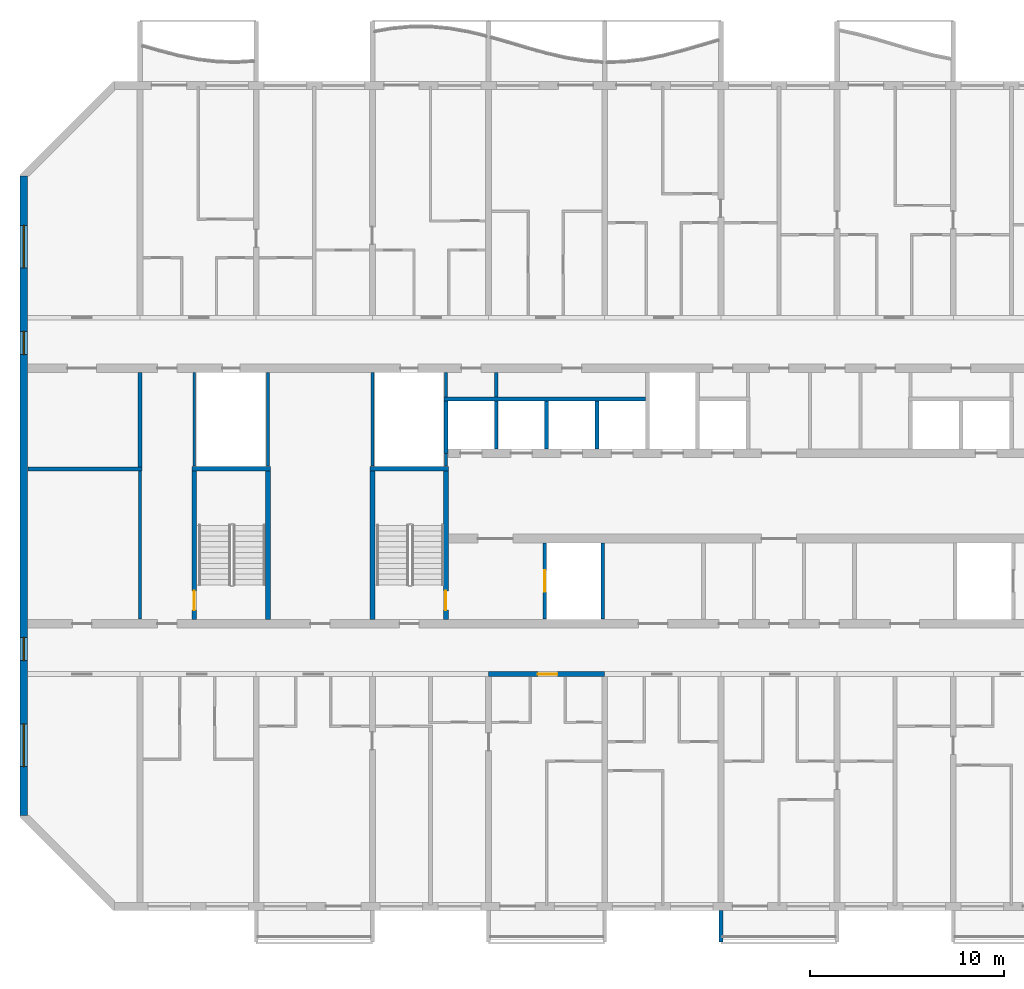
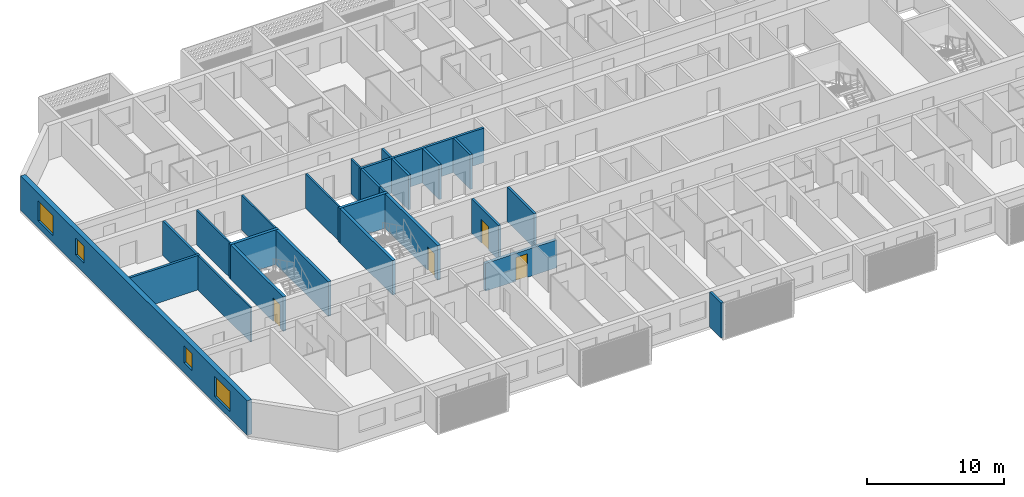
# One storey, part 3 of 33: 25 walls, 4 doors, 4 windows, 8 openings.
"""IFC4 building model written with IfcOpenShell, lengths in metres."""

from ifc_helpers import new_model, si_unit, direction, frame, frame_2d, origin, place, context, subcontext, project, spatial, polyline, rectangle, outline, extrude, source, transform, mapped, material, layer, layer_set, type_object, element, fill, save


model = new_model("IFC4")

# Units and contexts
model_context = context("Model", 3, precision=1e-05, world=origin(), true_north=direction((0.0, 1.0)))
body_context = subcontext(model_context, "Body", "Model", "MODEL_VIEW")
ifc_project = project(units=[si_unit("LENGTHUNIT", "METRE"), si_unit("AREAUNIT", "SQUARE_METRE"), si_unit("VOLUMEUNIT", "CUBIC_METRE"), si_unit("PLANEANGLEUNIT", "RADIAN"), si_unit("MASSUNIT", "GRAM", prefix="KILO")], contexts=[model_context])

# Site, building, storey
site_placement = place(None, origin())
site = spatial("IfcSite", under=ifc_project, at=site_placement, CompositionType="ELEMENT")
building_placement = place(site_placement, origin())
building = spatial("IfcBuilding", under=site, at=building_placement, Name="Poui Terraces", CompositionType="ELEMENT")
storey_placement = place(building_placement, frame((0.0, 0.0, 132.300048828125)))
storey = spatial("IfcBuildingStorey", under=building, at=storey_placement, Name="L36", CompositionType="ELEMENT", Elevation=132.300048828125)

# Wall
ifc_material_1 = material(Name="Fire-rated plasterboard wall")
ifc_layer_1 = layer(ifc_material_1, 0.14990234375)
ifc_layer_set_1 = layer_set([ifc_layer_1], Name="Fire-rated plasterboard wall")
wall_type_1 = type_object("IfcWallType", Name="CORRIDOR WALL 150", PredefinedType="PARTITIONING", material=ifc_layer_set_1)
wall_1_placement = place(storey_placement, frame((18.0, 14.8349609375, 0.0), z_axis=(0.0, 0.0, 1.0), x_axis=(0.0, 1.0, 0.0)))
element("IfcWall", 1, at=wall_1_placement, inside=storey, type_object=wall_type_1, Name="CORRIDOR WALL 150", PredefinedType="PARTITIONING", context=body_context, shape_type="SweptSolid", body=[
    extrude(rectangle(XDim=7.6650390625, YDim=0.14990234375, at=frame_2d((3.83251953125, 0.0))), origin(), (0.0, 0.0, 1.0), 3.070068359375),
])

# Wall, opening, door
ifc_material_2 = material(Name="Concrete 65 MPa", Category="concrete")
ifc_layer_2 = layer(ifc_material_2, 0.25)
ifc_layer_set_2 = layer_set([ifc_layer_2], Name="Concrete 65 MPa")
wall_type_2 = type_object("IfcWallType", Name="CORRIDOR WALL 250 65MPa", PredefinedType="SHEAR", material=ifc_layer_set_2)
wall_2_placement = place(storey_placement, frame((36.0, 12.0, 0.0), z_axis=(0.0, 0.0, 1.0), x_axis=(1.0, 0.0, 0.0)))
wall_2 = element("IfcWall", 2, at=wall_2_placement, inside=storey, type_object=wall_type_2, Name="CORRIDOR WALL LINE B BAY 5", PredefinedType="SHEAR", context=body_context, shape_type="SweptSolid", body=[
    extrude(rectangle(XDim=6.0, YDim=0.25, at=frame_2d((3.0, 0.0))), origin(), (0.0, 0.0, 1.0), 2.469970703125),
])
opening_1_placement = place(wall_2_placement, frame((2.550048828125, 0.0, 0.0)))
opening_1 = element("IfcOpeningElement", 3, at=opening_1_placement, cuts=wall_2, Name="Opening FD30S", PredefinedType="OPENING", context=body_context, shape_type="SweptSolid", body=[
    extrude(rectangle(XDim=1.0, YDim=2.10009765625, at=frame_2d((0.5, 1.050048828125))), frame((0.0, 0.135009765625, 0.0), z_axis=(0.0, -1.0, 0.0), x_axis=(1.0, 0.0, 0.0)), (0.0, 0.0, 1.0), 0.27001953125),
])
ifc_material_3 = material(Name="Steel fire door", Category="steel")
door_type_1 = type_object("IfcDoorType", Name="FLAT ENTRANCE DOOR 1000 X 2100", OperationType="NOTDEFINED", PredefinedType="DOOR", material=ifc_material_3)
door_1_placement = place(opening_1_placement, frame((1.0, 0.0, 0.0), z_axis=(0.0, 0.0, 1.0), x_axis=(-1.0, 0.0, 0.0)))
door_1 = element("IfcDoor", 4, at=door_1_placement, inside=storey, type_object=door_type_1, Name="FLAT ENTRANCE DOOR 086", OperationType="SINGLE_SWING_LEFT", OverallHeight=2.10009765625, OverallWidth=1.0, PredefinedType="DOOR", context=body_context, shape_type="SweptSolid", body=[
    extrude(rectangle(XDim=1.0, YDim=2.10009765625, at=frame_2d((0.5, 1.050048828125))), frame((0.0, 0.02490234375, 0.0), z_axis=(0.0, -1.0, 0.0), x_axis=(1.0, 0.0, 0.0)), (0.0, 0.0, 1.0), 0.050048828125),
])
fill(opening_1, door_1)

# Wall, openings, windows
ifc_layer_3 = layer(ifc_material_2, 0.39990234375)
ifc_layer_set_3 = layer_set([ifc_layer_3], Name="Concrete 65 MPa")
wall_type_3 = type_object("IfcWallType", Name="END WALL 400 65MPa", PredefinedType="SHEAR", material=ifc_layer_set_3)
wall_3_placement = place(storey_placement, frame((12.0, 4.682861328125, 0.0), z_axis=(0.0, 0.0, 1.0), x_axis=(0.0, 1.0, 0.0)))
wall_3 = element("IfcWall", 5, at=wall_3_placement, inside=storey, type_object=wall_type_3, Name="END WALL WEST", PredefinedType="SHEAR", context=body_context, shape_type="SweptSolid", body=[
    extrude(rectangle(XDim=33.034423828125, YDim=0.39990234375, at=frame_2d((16.51708984375, 0.0))), origin(), (0.0, 0.0, 1.0), 3.070068359375),
])
opening_2_placement = place(wall_3_placement, frame((23.817138671875, 0.0, 0.89990234375)))
opening_2 = element("IfcOpeningElement", 6, at=opening_2_placement, cuts=wall_3, Name="Opening W2", PredefinedType="OPENING", context=body_context, shape_type="SweptSolid", body=[
    extrude(rectangle(XDim=1.199951171875, YDim=1.5, at=frame_2d((0.60009765625, 0.75))), frame((0.0, 0.2099609375, 0.0), z_axis=(0.0, -1.0, 0.0), x_axis=(1.0, 0.0, 0.0)), (0.0, 0.0, 1.0), 0.419921875),
])
opening_3_placement = place(wall_3_placement, frame((8.01708984375, 0.0, 0.89990234375)))
opening_3 = element("IfcOpeningElement", 7, at=opening_3_placement, cuts=wall_3, Name="Opening W2", PredefinedType="OPENING", context=body_context, shape_type="SweptSolid", body=[
    extrude(rectangle(XDim=1.199951171875, YDim=1.5, at=frame_2d((0.60009765625, 0.75))), frame((0.0, 0.2099609375, 0.0), z_axis=(0.0, -1.0, 0.0), x_axis=(1.0, 0.0, 0.0)), (0.0, 0.0, 1.0), 0.419921875),
])
opening_4_placement = place(wall_3_placement, frame((28.29345703125, 0.0, 0.60009765625)))
opening_4 = element("IfcOpeningElement", 8, at=opening_4_placement, cuts=wall_3, Name="Opening W3", PredefinedType="OPENING", context=body_context, shape_type="SweptSolid", body=[
    extrude(rectangle(XDim=2.199951171875, YDim=1.800048828125, at=frame_2d((1.10009765625, 0.89990234375))), frame((0.0, 0.2099609375, 0.0), z_axis=(0.0, -1.0, 0.0), x_axis=(1.0, 0.0, 0.0)), (0.0, 0.0, 1.0), 0.419921875),
])
opening_5_placement = place(wall_3_placement, frame((2.541015625, 0.0, 0.60009765625)))
opening_5 = element("IfcOpeningElement", 9, at=opening_5_placement, cuts=wall_3, Name="Opening W3", PredefinedType="OPENING", context=body_context, shape_type="SweptSolid", body=[
    extrude(rectangle(XDim=2.199951171875, YDim=1.800048828125, at=frame_2d((1.10009765625, 0.89990234375))), frame((0.0, 0.2099609375, 0.0), z_axis=(0.0, -1.0, 0.0), x_axis=(1.0, 0.0, 0.0)), (0.0, 0.0, 1.0), 0.419921875),
])
ifc_material_4 = material(Name="Clear glass in aluminium frame", Category="aluminium")
window_type_1 = type_object("IfcWindowType", Name="WINDOW 1200X1500", PartitioningType="SINGLE_PANEL", PredefinedType="WINDOW", material=ifc_material_4)
window_1_placement = place(opening_2_placement, origin())
window_1 = element("IfcWindow", 10, at=window_1_placement, inside=storey, type_object=window_type_1, Name="W2 WINDOW", OverallHeight=1.5, OverallWidth=1.199951171875, PartitioningType="SINGLE_PANEL", PredefinedType="WINDOW", context=body_context, shape_type="SweptSolid", body=[
    extrude(rectangle(XDim=1.199951171875, YDim=1.5, at=frame_2d((0.60009765625, 0.75))), frame((0.0, 0.030029296875, 0.0), z_axis=(0.0, -1.0, 0.0), x_axis=(1.0, 0.0, 0.0)), (0.0, 0.0, 1.0), 0.06005859375),
])
fill(opening_2, window_1)
window_2_placement = place(opening_3_placement, origin())
window_2 = element("IfcWindow", 11, at=window_2_placement, inside=storey, type_object=window_type_1, Name="W2 WINDOW", OverallHeight=1.5, OverallWidth=1.199951171875, PartitioningType="SINGLE_PANEL", PredefinedType="WINDOW", context=body_context, shape_type="SweptSolid", body=[
    extrude(rectangle(XDim=1.199951171875, YDim=1.5, at=frame_2d((0.60009765625, 0.75))), frame((0.0, 0.030029296875, 0.0), z_axis=(0.0, -1.0, 0.0), x_axis=(1.0, 0.0, 0.0)), (0.0, 0.0, 1.0), 0.06005859375),
])
fill(opening_3, window_2)
window_type_2 = type_object("IfcWindowType", Name="WINDOW 2200X1800", PartitioningType="DOUBLE_PANEL_HORIZONTAL", PredefinedType="WINDOW", material=ifc_material_4)
window_3_placement = place(opening_4_placement, origin())
window_3 = element("IfcWindow", 12, at=window_3_placement, inside=storey, type_object=window_type_2, Name="W3 WINDOW", OverallHeight=1.800048828125, OverallWidth=2.199951171875, PartitioningType="DOUBLE_PANEL_HORIZONTAL", PredefinedType="WINDOW", context=body_context, shape_type="SweptSolid", body=[
    extrude(rectangle(XDim=2.199951171875, YDim=1.800048828125, at=frame_2d((1.10009765625, 0.89990234375))), frame((0.0, 0.030029296875, 0.0), z_axis=(0.0, -1.0, 0.0), x_axis=(1.0, 0.0, 0.0)), (0.0, 0.0, 1.0), 0.06005859375),
])
fill(opening_4, window_3)
window_4_placement = place(opening_5_placement, origin())
window_4 = element("IfcWindow", 13, at=window_4_placement, inside=storey, type_object=window_type_2, Name="W3 WINDOW", OverallHeight=1.800048828125, OverallWidth=2.199951171875, PartitioningType="DOUBLE_PANEL_HORIZONTAL", PredefinedType="WINDOW", context=body_context, shape_type="SweptSolid", body=[
    extrude(rectangle(XDim=2.199951171875, YDim=1.800048828125, at=frame_2d((1.10009765625, 0.89990234375))), frame((0.0, 0.030029296875, 0.0), z_axis=(0.0, -1.0, 0.0), x_axis=(1.0, 0.0, 0.0)), (0.0, 0.0, 1.0), 0.06005859375),
])
fill(opening_5, window_4)

# Walls
ifc_material_5 = material(Name="Fire-rated masonry wall", Category="masonry")
ifc_layer_4 = layer(ifc_material_5, 0.199951171875)
ifc_layer_set_4 = layer_set([ifc_layer_4], Name="Fire-rated masonry wall")
wall_type_4 = type_object("IfcWallType", Name="PLANT ROOM WALL 200", PredefinedType="PARTITIONING", material=ifc_layer_set_4)
wall_4_placement = place(storey_placement, frame((12.2099609375, 22.60009765625, 0.0), z_axis=(0.0, 0.0, 1.0), x_axis=(1.0, 0.0, 0.0)))
element("IfcWall", 14, at=wall_4_placement, inside=storey, type_object=wall_type_4, Name="PLANT ROOM WALL 200", PredefinedType="PARTITIONING", context=body_context, shape_type="SweptSolid", body=[
    extrude(rectangle(XDim=5.89013671875, YDim=0.199951171875, at=frame_2d((2.945068359375, 0.0))), origin(), (0.0, 0.0, 1.0), 3.070068359375),
])
wall_5_placement = place(storey_placement, frame((18.0, 22.699951171875, 0.0), z_axis=(0.0, 0.0, 1.0), x_axis=(0.0, 1.0, 0.0)))
element("IfcWall", 15, at=wall_5_placement, inside=storey, type_object=wall_type_4, Name="PLANT ROOM WALL 200", PredefinedType="PARTITIONING", context=body_context, shape_type="SweptSolid", body=[
    extrude(rectangle(XDim=4.864990234375, YDim=0.199951171875, at=frame_2d((2.4326171875, 0.0))), origin(), (0.0, 0.0, 1.0), 3.070068359375),
])
wall_6_placement = place(storey_placement, frame((36.39990234375, 26.300048828125, 0.0), z_axis=(0.0, 0.0, 1.0), x_axis=(0.0, 1.0, 0.0)))
element("IfcWall", 16, at=wall_6_placement, inside=storey, type_object=wall_type_4, Name="PLANT ROOM WALL 200", PredefinedType="PARTITIONING", context=body_context, shape_type="SweptSolid", body=[
    extrude(rectangle(XDim=1.264892578125, YDim=0.199951171875, at=frame_2d((0.63232421875, 0.0))), origin(), (0.0, 0.0, 1.0), 3.070068359375),
])
ifc_material_6 = material(Name="Fire-rated plasterboard riser wall")
ifc_layer_5 = layer(ifc_material_6, 0.14990234375)
ifc_layer_set_5 = layer_set([ifc_layer_5], Name="Fire-rated plasterboard riser wall")
wall_type_5 = type_object("IfcWallType", Name="RISER WALL 150", PredefinedType="PARTITIONING", material=ifc_layer_set_5)
for number, where, z_axis, x_axis, name in (
    (17, (20.800048828125, 22.735107421875, 0.0), (0.0, 0.0, 1.0), (0.0, 1.0, 0.0), "RISER WALL 150"),
    (18, (24.60009765625, 22.735107421875, 0.0), (0.0, 0.0, 1.0), (0.0, 1.0, 0.0), "RISER WALL 150"),
    (19, (30.0, 22.735107421875, 0.0), (0.0, 0.0, 1.0), (0.0, 1.0, 0.0), "RISER WALL 150"),
):
    element("IfcWall", number, at=place(storey_placement, frame(where, z_axis=z_axis, x_axis=x_axis)), inside=storey, type_object=wall_type_5, Name=name, PredefinedType="PARTITIONING", context=body_context, shape_type="SweptSolid", body=[
        extrude(rectangle(XDim=4.829833984375, YDim=0.14990234375, at=frame_2d((2.4150390625, 0.0))), origin(), (0.0, 0.0, 1.0), 3.070068359375),
    ])
wall_7_placement = place(storey_placement, frame((33.800048828125, 22.735107421875, 0.0), z_axis=(0.0, 0.0, 1.0), x_axis=(0.0, 1.0, 0.0)))
element("IfcWall", 20, at=wall_7_placement, inside=storey, type_object=wall_type_5, Name="RISER WALL 150", PredefinedType="PARTITIONING", context=body_context, shape_type="SweptSolid", body=[
    extrude(rectangle(XDim=0.664794921875, YDim=0.14990234375, at=frame_2d((0.33251953125, 0.0))), origin(), (0.0, 0.0, 1.0), 3.070068359375),
])
wall_8_placement = place(storey_placement, frame((33.800048828125, 26.300048828125, 0.0), z_axis=(0.0, 0.0, 1.0), x_axis=(0.0, 1.0, 0.0)))
element("IfcWall", 21, at=wall_8_placement, inside=storey, type_object=wall_type_5, Name="RISER WALL 150", PredefinedType="PARTITIONING", context=body_context, shape_type="SweptSolid", body=[
    extrude(rectangle(XDim=1.264892578125, YDim=0.14990234375, at=frame_2d((0.63232421875, 0.0))), origin(), (0.0, 0.0, 1.0), 3.070068359375),
])
ifc_material_7 = material(Name="Fire-rated masonry shaft wall", Category="masonry")
ifc_layer_6 = layer(ifc_material_7, 0.199951171875)
ifc_layer_set_6 = layer_set([ifc_layer_6], Name="Fire-rated masonry shaft wall")
wall_type_6 = type_object("IfcWallType", Name="SHAFT WALL 200", PredefinedType="PARTITIONING", material=ifc_layer_set_6)
wall_9_placement = place(storey_placement, frame((33.699951171875, 26.199951171875, 0.0), z_axis=(0.0, 0.0, 1.0), x_axis=(1.0, 0.0, 0.0)))
element("IfcWall", 22, at=wall_9_placement, inside=storey, type_object=wall_type_6, Name="SHAFT WALL 200", PredefinedType="PARTITIONING", context=body_context, shape_type="SweptSolid", body=[
    extrude(rectangle(XDim=10.400146484375, YDim=0.199951171875, at=frame_2d((5.2001953125, 0.0))), origin(), (0.0, 0.0, 1.0), 3.070068359375),
])
wall_10_placement = place(storey_placement, frame((33.800048828125, 23.39990234375, 0.0), z_axis=(0.0, 0.0, 1.0), x_axis=(0.0, 1.0, 0.0)))
element("IfcWall", 23, at=wall_10_placement, inside=storey, type_object=wall_type_6, Name="SHAFT WALL 200", PredefinedType="PARTITIONING", context=body_context, shape_type="SweptSolid", body=[
    extrude(rectangle(XDim=2.7001953125, YDim=0.199951171875, at=frame_2d((1.35009765625, 0.0))), origin(), (0.0, 0.0, 1.0), 3.070068359375),
])
wall_11_placement = place(storey_placement, frame((36.39990234375, 23.635009765625, 0.0), z_axis=(0.0, 0.0, 1.0), x_axis=(0.0, 1.0, 0.0)))
element("IfcWall", 24, at=wall_11_placement, inside=storey, type_object=wall_type_6, Name="SHAFT WALL 200", PredefinedType="PARTITIONING", context=body_context, shape_type="SweptSolid", body=[
    extrude(rectangle(XDim=2.465087890625, YDim=0.199951171875, at=frame_2d((1.232421875, 0.0))), origin(), (0.0, 0.0, 1.0), 3.070068359375),
])

# Wall, opening, door
wall_12_placement = place(storey_placement, frame((38.89990234375, 14.8349609375, 0.0), z_axis=(0.0, 0.0, 1.0), x_axis=(0.0, 1.0, 0.0)))
wall_12 = element("IfcWall", 25, at=wall_12_placement, inside=storey, type_object=wall_type_6, Name="SHAFT WALL 200", PredefinedType="PARTITIONING", context=body_context, shape_type="SweptSolid", body=[
    extrude(rectangle(XDim=3.929931640625, YDim=0.199951171875, at=frame_2d((1.96484375, 0.0))), origin(), (0.0, 0.0, 1.0), 3.070068359375),
])
opening_6_placement = place(wall_12_placement, frame((1.4150390625, 0.0, 0.0)))
opening_6 = element("IfcOpeningElement", 26, at=opening_6_placement, cuts=wall_12, Name="Opening LD", PredefinedType="OPENING", context=body_context, shape_type="SweptSolid", body=[
    extrude(rectangle(XDim=1.10009765625, YDim=2.10009765625, at=frame_2d((0.550048828125, 1.050048828125))), frame((0.0, 0.10986328125, 0.0), z_axis=(0.0, -1.0, 0.0), x_axis=(1.0, 0.0, 0.0)), (0.0, 0.0, 1.0), 0.219970703125),
])
ifc_material_8 = material(Name="Stainless steel sliding door", Category="steel")
door_type_2 = type_object("IfcDoorType", Name="LIFT LANDING DOOR 1100 X 2100", OperationType="DOUBLE_DOOR_SLIDING", PredefinedType="DOOR", material=ifc_material_8)
door_2_placement = place(opening_6_placement, origin())
door_2 = element("IfcDoor", 27, at=door_2_placement, inside=storey, type_object=door_type_2, Name="LANDING DOOR", OperationType="DOUBLE_DOOR_SLIDING", OverallHeight=2.10009765625, OverallWidth=1.10009765625, PredefinedType="DOOR", context=body_context, shape_type="SweptSolid", body=[
    extrude(rectangle(XDim=1.10009765625, YDim=2.10009765625, at=frame_2d((0.550048828125, 1.050048828125))), frame((0.0, 0.02490234375, 0.0), z_axis=(0.0, -1.0, 0.0), x_axis=(1.0, 0.0, 0.0)), (0.0, 0.0, 1.0), 0.050048828125),
])
fill(opening_6, door_2)

# Walls
for number, where, z_axis, x_axis, name in (
    (28, (39.0, 23.635009765625, 0.0), (0.0, 0.0, 1.0), (0.0, 1.0, 0.0), "SHAFT WALL 200"),
    (29, (41.60009765625, 23.635009765625, 0.0), (0.0, 0.0, 1.0), (0.0, 1.0, 0.0), "SHAFT WALL 200"),
):
    element("IfcWall", number, at=place(storey_placement, frame(where, z_axis=z_axis, x_axis=x_axis)), inside=storey, type_object=wall_type_6, Name=name, PredefinedType="PARTITIONING", context=body_context, shape_type="SweptSolid", body=[
        extrude(rectangle(XDim=2.465087890625, YDim=0.199951171875, at=frame_2d((1.232421875, 0.0))), origin(), (0.0, 0.0, 1.0), 3.070068359375),
    ])
wall_13_placement = place(storey_placement, frame((41.89990234375, 14.8349609375, 0.0), z_axis=(0.0, 0.0, 1.0), x_axis=(0.0, 1.0, 0.0)))
element("IfcWall", 30, at=wall_13_placement, inside=storey, type_object=wall_type_6, Name="SHAFT WALL 200", PredefinedType="PARTITIONING", context=body_context, shape_type="SweptSolid", body=[
    extrude(rectangle(XDim=3.929931640625, YDim=0.199951171875, at=frame_2d((1.96484375, 0.0))), origin(), (0.0, 0.0, 1.0), 3.070068359375),
])
ifc_layer_7 = layer(ifc_material_2, 0.25)
ifc_layer_set_7 = layer_set([ifc_layer_7], Name="Concrete 65 MPa")
wall_type_7 = type_object("IfcWallType", Name="STAIR CORE WALL 250 65 MPA", PredefinedType="SOLIDWALL", material=ifc_layer_set_7)
wall_14_placement = place(storey_placement, frame((30.0, 14.824951171875, 0.0), z_axis=(0.0, 0.0, 1.0), x_axis=(0.0, 1.0, 0.0)))
element("IfcWall", 31, at=wall_14_placement, inside=storey, type_object=wall_type_7, Name="STAIR CORE WALL", PredefinedType="SOLIDWALL", context=body_context, shape_type="SweptSolid", body=[
    extrude(rectangle(XDim=7.650146484375, YDim=0.25, at=frame_2d((3.8251953125, 0.0))), origin(), (0.0, 0.0, 1.0), 3.070068359375),
])

# Wall, opening, door
wall_15_placement = place(storey_placement, frame((33.800048828125, 14.824951171875, 0.0), z_axis=(0.0, 0.0, 1.0), x_axis=(0.0, 1.0, 0.0)))
wall_15 = element("IfcWall", 32, at=wall_15_placement, inside=storey, type_object=wall_type_7, Name="STAIR CORE WALL", PredefinedType="SOLIDWALL", context=body_context, shape_type="SweptSolid", body=[
    extrude(rectangle(XDim=7.650146484375, YDim=0.25, at=frame_2d((3.8251953125, 0.0))), origin(), (0.0, 0.0, 1.0), 3.070068359375),
])
opening_7_placement = place(wall_15_placement, frame((0.47509765625, 0.0, 0.0)))
opening_7 = element("IfcOpeningElement", 33, at=opening_7_placement, cuts=wall_15, Name="Opening FD60S", PredefinedType="OPENING", context=body_context, shape_type="SweptSolid", body=[
    extrude(rectangle(XDim=1.0, YDim=2.10009765625, at=frame_2d((0.5, 1.050048828125))), frame((0.0, 0.135009765625, 0.0), z_axis=(0.0, -1.0, 0.0), x_axis=(1.0, 0.0, 0.0)), (0.0, 0.0, 1.0), 0.27001953125),
])
door_type_3 = type_object("IfcDoorType", Name="STAIR DOOR 1000 X 2100", OperationType="NOTDEFINED", PredefinedType="DOOR", material=ifc_material_3)
door_3_placement = place(opening_7_placement, origin())
door_3 = element("IfcDoor", 34, at=door_3_placement, inside=storey, type_object=door_type_3, Name="STAIR DOOR 119", OperationType="SINGLE_SWING_LEFT", OverallHeight=2.10009765625, OverallWidth=1.0, PredefinedType="DOOR", context=body_context, shape_type="SweptSolid", body=[
    extrude(rectangle(XDim=1.0, YDim=2.10009765625, at=frame_2d((0.5, 1.050048828125))), frame((0.0, 0.02490234375, 0.0), z_axis=(0.0, -1.0, 0.0), x_axis=(1.0, 0.0, 0.0)), (0.0, 0.0, 1.0), 0.050048828125),
])
fill(opening_7, door_3)

# Wall
wall_16_placement = place(storey_placement, frame((29.875, 22.60009765625, 0.0), z_axis=(0.0, 0.0, 1.0), x_axis=(1.0, 0.0, 0.0)))
element("IfcWall", 35, at=wall_16_placement, inside=storey, type_object=wall_type_7, Name="STAIR CORE WALL", PredefinedType="SOLIDWALL", context=body_context, shape_type="SweptSolid", body=[
    extrude(rectangle(XDim=4.050048828125, YDim=0.25, at=frame_2d((2.02490234375, 0.0))), origin(), (0.0, 0.0, 1.0), 3.070068359375),
])

# Wall, opening, door
wall_17_placement = place(storey_placement, frame((20.800048828125, 14.824951171875, 0.0), z_axis=(0.0, 0.0, 1.0), x_axis=(0.0, 1.0, 0.0)))
wall_17 = element("IfcWall", 36, at=wall_17_placement, inside=storey, type_object=wall_type_7, Name="STAIR CORE WALL", PredefinedType="SOLIDWALL", context=body_context, shape_type="SweptSolid", body=[
    extrude(rectangle(XDim=7.650146484375, YDim=0.25, at=frame_2d((3.8251953125, 0.0))), origin(), (0.0, 0.0, 1.0), 3.070068359375),
])
opening_8_placement = place(wall_17_placement, frame((0.47509765625, 0.0, 0.0)))
opening_8 = element("IfcOpeningElement", 37, at=opening_8_placement, cuts=wall_17, Name="Opening FD60S", PredefinedType="OPENING", context=body_context, shape_type="SweptSolid", body=[
    extrude(rectangle(XDim=1.0, YDim=2.10009765625, at=frame_2d((0.5, 1.050048828125))), frame((0.0, 0.135009765625, 0.0), z_axis=(0.0, -1.0, 0.0), x_axis=(1.0, 0.0, 0.0)), (0.0, 0.0, 1.0), 0.27001953125),
])
door_4_placement = place(opening_8_placement, frame((1.0, 0.0, 0.0), z_axis=(0.0, 0.0, 1.0), x_axis=(-1.0, 0.0, 0.0)))
door_4 = element("IfcDoor", 38, at=door_4_placement, inside=storey, type_object=door_type_3, Name="STAIR DOOR 133", OperationType="SINGLE_SWING_RIGHT", OverallHeight=2.10009765625, OverallWidth=1.0, PredefinedType="DOOR", context=body_context, shape_type="SweptSolid", body=[
    extrude(rectangle(XDim=1.0, YDim=2.10009765625, at=frame_2d((0.5, 1.050048828125))), frame((0.0, 0.02490234375, 0.0), z_axis=(0.0, -1.0, 0.0), x_axis=(1.0, 0.0, 0.0)), (0.0, 0.0, 1.0), 0.050048828125),
])
fill(opening_8, door_4)

# Walls
wall_18_placement = place(storey_placement, frame((24.60009765625, 14.824951171875, 0.0), z_axis=(0.0, 0.0, 1.0), x_axis=(0.0, 1.0, 0.0)))
element("IfcWall", 39, at=wall_18_placement, inside=storey, type_object=wall_type_7, Name="STAIR CORE WALL", PredefinedType="SOLIDWALL", context=body_context, shape_type="SweptSolid", body=[
    extrude(rectangle(XDim=7.650146484375, YDim=0.25, at=frame_2d((3.8251953125, 0.0))), origin(), (0.0, 0.0, 1.0), 3.070068359375),
])
wall_19_placement = place(storey_placement, frame((20.675048828125, 22.60009765625, 0.0), z_axis=(0.0, 0.0, 1.0), x_axis=(1.0, 0.0, 0.0)))
element("IfcWall", 40, at=wall_19_placement, inside=storey, type_object=wall_type_7, Name="STAIR CORE WALL", PredefinedType="SOLIDWALL", context=body_context, shape_type="SweptSolid", body=[
    extrude(rectangle(XDim=4.050048828125, YDim=0.25, at=frame_2d((2.02490234375, 0.0))), origin(), (0.0, 0.0, 1.0), 3.070068359375),
])
ifc_material_9 = material(Name="Precast concrete 40 MPa", Category="concrete")
ifc_layer_8 = layer(ifc_material_9, 0.199951171875)
ifc_layer_set_8 = layer_set([ifc_layer_8], Name="Precast concrete 40 MPa")
wall_type_8 = type_object("IfcWallType", Name="REAR FIN 200", PredefinedType="STANDARD", material=ifc_layer_set_8)
shared_shape = source(origin(), body_context, "Body", "SweptSolid", [
    extrude(outline(polyline([(0.0, 0.0), (0.2001953125, 0.0), (0.2001953125, 1.650146484375), (0.0, 1.650146484375), (0.0, 0.0)])), origin(), (0.0, 0.0, 1.0), 3.099853515625),
])
wall_20_placement = place(storey_placement, frame((47.89990234375, -1.85009765625, 0.0)))
element("IfcWall", 41, at=wall_20_placement, inside=storey, type_object=wall_type_8, Name="REAR FIN", PredefinedType="STANDARD", context=body_context, shape_type="MappedRepresentation", body=[
    mapped(shared_shape, transform((0.0, 0.0, 0.0))),
])

save(model, "model.ifc")
